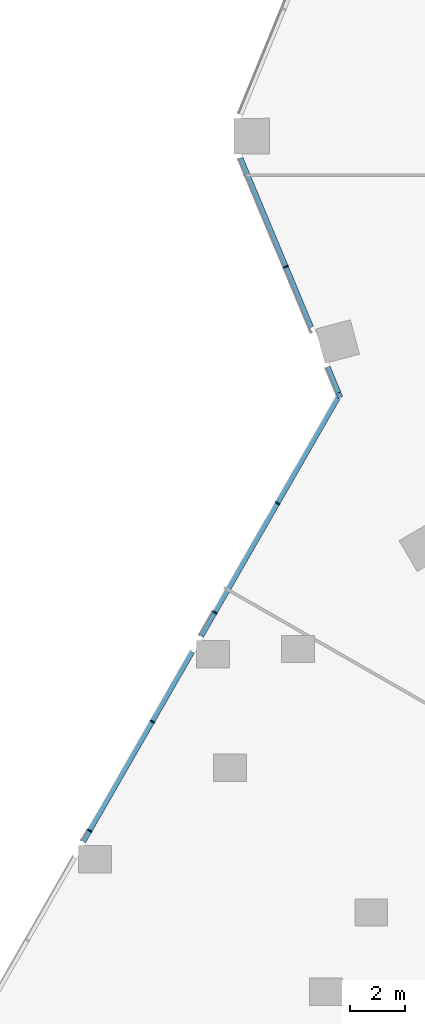
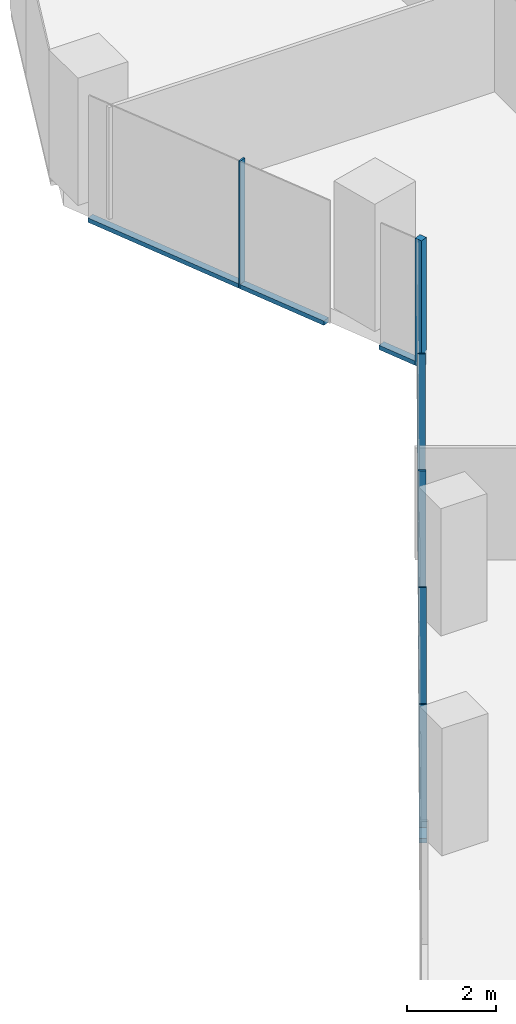
# One storey, part 7 of 34: 10 members, 2 elements without a shape of their own.
"""IFC4 building model written with IfcOpenShell, lengths in metres."""

from ifc_helpers import new_model, si_unit, direction, frame, origin, origin_2d, place, context, subcontext, project, spatial, rectangle, extrude, material, material_profile, profile_set, type_object, element, aggregate, save


model = new_model("IFC4")

# Units and contexts
model_context = context("Model", 3, precision=1e-05, world=origin(), true_north=direction((0.0, 1.0)))
body_context = subcontext(model_context, "Body", "Model", "MODEL_VIEW")
ifc_project = project(units=[si_unit("LENGTHUNIT", "METRE"), si_unit("AREAUNIT", "SQUARE_METRE"), si_unit("VOLUMEUNIT", "CUBIC_METRE"), si_unit("PLANEANGLEUNIT", "RADIAN"), si_unit("MASSUNIT", "GRAM", prefix="KILO")], contexts=[model_context])

# Site, building, storey
site_placement = place(None, origin())
site = spatial("IfcSite", under=ifc_project, at=site_placement, CompositionType="ELEMENT")
building_placement = place(site_placement, origin())
building = spatial("IfcBuilding", under=site, at=building_placement, Name="Orlundy Tower", CompositionType="ELEMENT")
storey_placement = place(building_placement, frame((0.0, 0.0, 112.699951171875)))
storey = spatial("IfcBuildingStorey", under=building, at=storey_placement, Name="L28", CompositionType="ELEMENT", Elevation=112.699951171875)

# Curtain wall, member
ifc_material_1 = material(Name="Aluminium bronze anodised", Category="aluminium")
curtain_wall_type = type_object("IfcCurtainWallType", Name="CW1 wall", PredefinedType="NOTDEFINED", material=ifc_material_1)
curtain_wall_1_placement = place(storey_placement, origin())
curtain_wall_1 = element("IfcCurtainWall", 1, at=curtain_wall_1_placement, inside=storey, type_object=curtain_wall_type, Name="CW1 run 013", PredefinedType="NOTDEFINED")
ifc_material_2 = material(Name="Aluminium bronze anodised", Category="aluminium")
ifc_material_profile_1 = material_profile(ifc_material_2, rectangle(XDim=0.179931640625, YDim=0.179931640625, at=origin_2d()), Name="CW1 corner post 180x180")
ifc_profile_set_1 = profile_set([ifc_material_profile_1], Name="Aluminium bronze anodised")
member_type_1 = type_object("IfcMemberType", Name="CW1 corner post 180x180", PredefinedType="MULLION", material=ifc_profile_set_1)
member_1_placement = place(storey_placement, frame((-28.627197265625, -9.53466796875, -0.39990234375), z_axis=(0.0, 0.0, 1.0), x_axis=(-0.922773195223, -0.385343522299, 0.0)))
member_1 = element("IfcMember", 2, at=member_1_placement, type_object=member_type_1, Name="CW1 mullion 32", PredefinedType="MULLION", context=body_context, shape_type="SweptSolid", body=[
    extrude(rectangle(XDim=0.179931640625, YDim=0.179931640625, at=origin_2d()), origin(), (0.0, 0.0, 1.0), 3.5),
])

# Curtain wall, members
curtain_wall_2_placement = place(storey_placement, origin())
curtain_wall_2 = element("IfcCurtainWall", 3, at=curtain_wall_2_placement, inside=storey, type_object=curtain_wall_type, Name="CW1 run 012", PredefinedType="NOTDEFINED")
ifc_material_3 = material(Name="Aluminium bronze anodised", Category="aluminium")
ifc_material_profile_2 = material_profile(ifc_material_3, rectangle(XDim=0.179931640625, YDim=0.050048828125, at=origin_2d()), Name="CW1 mullion 50x180")
ifc_profile_set_2 = profile_set([ifc_material_profile_2], Name="Aluminium bronze anodised")
member_type_2 = type_object("IfcMemberType", Name="CW1 mullion 50x180", PredefinedType="MULLION", material=ifc_profile_set_2)
member_2_placement = place(storey_placement, frame((-37.73583984375, -25.418212890625, -0.39990234375), z_axis=(0.0, 0.0, 1.0), x_axis=(-0.867482152182, 0.497468306172, 0.0)))
member_2 = element("IfcMember", 4, at=member_2_placement, type_object=member_type_2, Name="CW1 mullion 28", PredefinedType="MULLION", context=body_context, shape_type="SweptSolid", body=[
    extrude(rectangle(XDim=0.179931640625, YDim=0.050048828125, at=origin_2d()), origin(), (0.0, 0.0, 1.0), 3.5),
])
member_3_placement = place(storey_placement, frame((-35.453125, -21.437744140625, -0.39990234375), z_axis=(0.0, 0.0, 1.0), x_axis=(-0.867482152182, 0.497468306172, 0.0)))
member_3 = element("IfcMember", 5, at=member_3_placement, type_object=member_type_2, Name="CW1 mullion 29", PredefinedType="MULLION", context=body_context, shape_type="SweptSolid", body=[
    extrude(rectangle(XDim=0.179931640625, YDim=0.050048828125, at=origin_2d()), origin(), (0.0, 0.0, 1.0), 3.5),
])
member_4_placement = place(storey_placement, frame((-33.17041015625, -17.457275390625, -0.39990234375), z_axis=(0.0, 0.0, 1.0), x_axis=(-0.867482152182, 0.497468306172, 0.0)))
member_4 = element("IfcMember", 6, at=member_4_placement, type_object=member_type_2, Name="CW1 mullion 30", PredefinedType="MULLION", context=body_context, shape_type="SweptSolid", body=[
    extrude(rectangle(XDim=0.179931640625, YDim=0.050048828125, at=origin_2d()), origin(), (0.0, 0.0, 1.0), 3.5),
])
member_5_placement = place(storey_placement, frame((-30.8876953125, -13.476806640625, -0.39990234375), z_axis=(0.0, 0.0, 1.0), x_axis=(-0.867482152182, 0.497468306172, 0.0)))
member_5 = element("IfcMember", 7, at=member_5_placement, type_object=member_type_2, Name="CW1 mullion 31", PredefinedType="MULLION", context=body_context, shape_type="SweptSolid", body=[
    extrude(rectangle(XDim=0.179931640625, YDim=0.050048828125, at=origin_2d()), origin(), (0.0, 0.0, 1.0), 3.5),
])

# Member
member_6_placement = place(storey_placement, frame((-30.58251953125, -4.852294921875, -0.39990234375), z_axis=(0.0, 0.0, 1.0), x_axis=(-0.922773195223, -0.385343522299, 0.0)))
member_6 = element("IfcMember", 8, at=member_6_placement, type_object=member_type_2, Name="CW1 mullion 33", PredefinedType="MULLION", context=body_context, shape_type="SweptSolid", body=[
    extrude(rectangle(XDim=0.179931640625, YDim=0.050048828125, at=origin_2d()), origin(), (0.0, 0.0, 1.0), 3.5),
])

ifc_material_4 = material(Name="Aluminium bronze anodised", Category="aluminium")
ifc_material_profile_3 = material_profile(ifc_material_4, rectangle(XDim=0.179931640625, YDim=0.1201171875, at=origin_2d()), Name="CW1 transom 180x120")
ifc_profile_set_3 = profile_set([ifc_material_profile_3], Name="Aluminium bronze anodised")
member_type_3 = type_object("IfcMemberType", Name="CW1 transom 180x120", PredefinedType="USERDEFINED", material=ifc_profile_set_3)
member_7_placement = place(storey_placement, frame((-37.96337890625, -25.81494140625, -0.33984375), z_axis=(0.497476885388, 0.867477232269, 0.0), x_axis=(-0.867477232269, 0.497476885388, 0.0)))
member_7 = element("IfcMember", 9, at=member_7_placement, type_object=member_type_3, Name="CW1 transom", ObjectType="TRANSOM", PredefinedType="USERDEFINED", context=body_context, shape_type="SweptSolid", body=[
    extrude(rectangle(XDim=0.179931640625, YDim=0.1201171875, at=origin_2d()), origin(), (0.0, 0.0, 1.0), 7.974853515625),
])

member_8_placement = place(storey_placement, frame((-33.668701171875, -18.325927734375, -0.33984375), z_axis=(0.497473834069, 0.867478982118, 0.0), x_axis=(-0.867478982118, 0.497473834069, 0.0)))
member_8 = element("IfcMember", 10, at=member_8_placement, type_object=member_type_3, Name="CW1 transom", ObjectType="TRANSOM", PredefinedType="USERDEFINED", context=body_context, shape_type="SweptSolid", body=[
    extrude(rectangle(XDim=0.179931640625, YDim=0.1201171875, at=origin_2d()), origin(), (0.0, 0.0, 1.0), 10.020751953125),
])

aggregate(curtain_wall_2, [member_2, member_3, member_4, member_5, member_7, member_8])

member_9_placement = place(storey_placement, frame((-28.661865234375, -9.45166015625, -0.33984375), z_axis=(-0.385292880354, 0.922794341307, 0.0), x_axis=(-0.922794341307, -0.385292880354, 0.0)))
member_9 = element("IfcMember", 11, at=member_9_placement, type_object=member_type_3, Name="CW1 transom", ObjectType="TRANSOM", PredefinedType="USERDEFINED", context=body_context, shape_type="SweptSolid", body=[
    extrude(rectangle(XDim=0.179931640625, YDim=0.1201171875, at=origin_2d()), origin(), (0.0, 0.0, 1.0), 1.0234375),
])

member_10_placement = place(storey_placement, frame((-29.658935546875, -7.06396484375, -0.33984375), z_axis=(-0.385343838264, 0.922773063278, 0.0), x_axis=(-0.922773063278, -0.385343838264, 0.0)))
member_10 = element("IfcMember", 12, at=member_10_placement, type_object=member_type_3, Name="CW1 transom", ObjectType="TRANSOM", PredefinedType="USERDEFINED", context=body_context, shape_type="SweptSolid", body=[
    extrude(rectangle(XDim=0.179931640625, YDim=0.1201171875, at=origin_2d()), origin(), (0.0, 0.0, 1.0), 6.68603515625),
])

aggregate(curtain_wall_1, [member_1, member_6, member_9, member_10])

save(model, "model.ifc")
